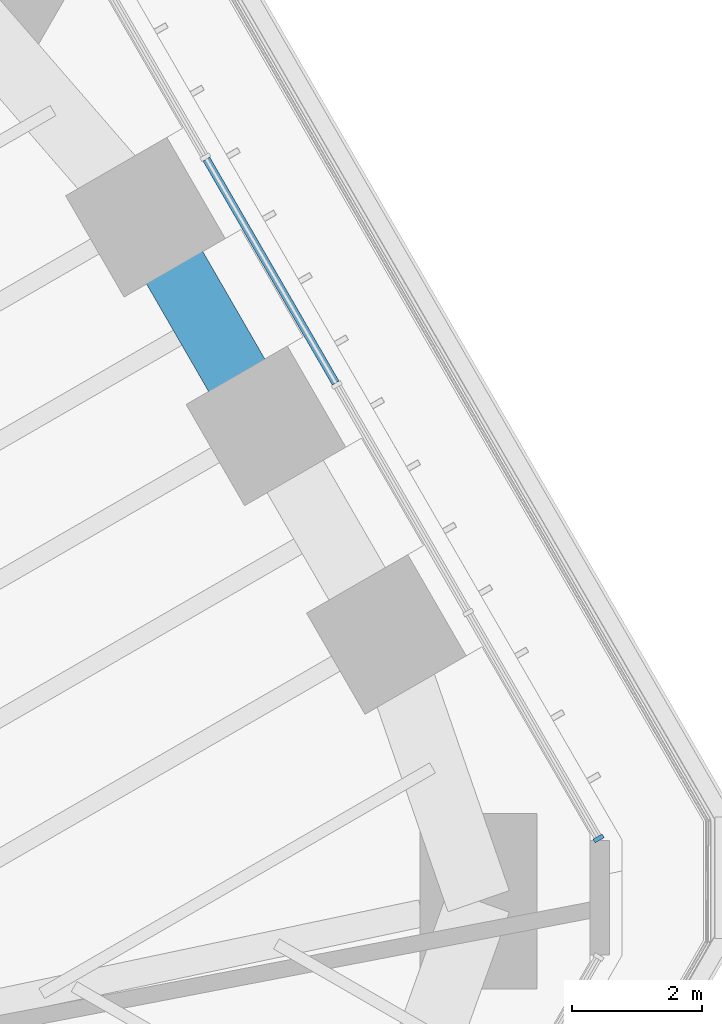
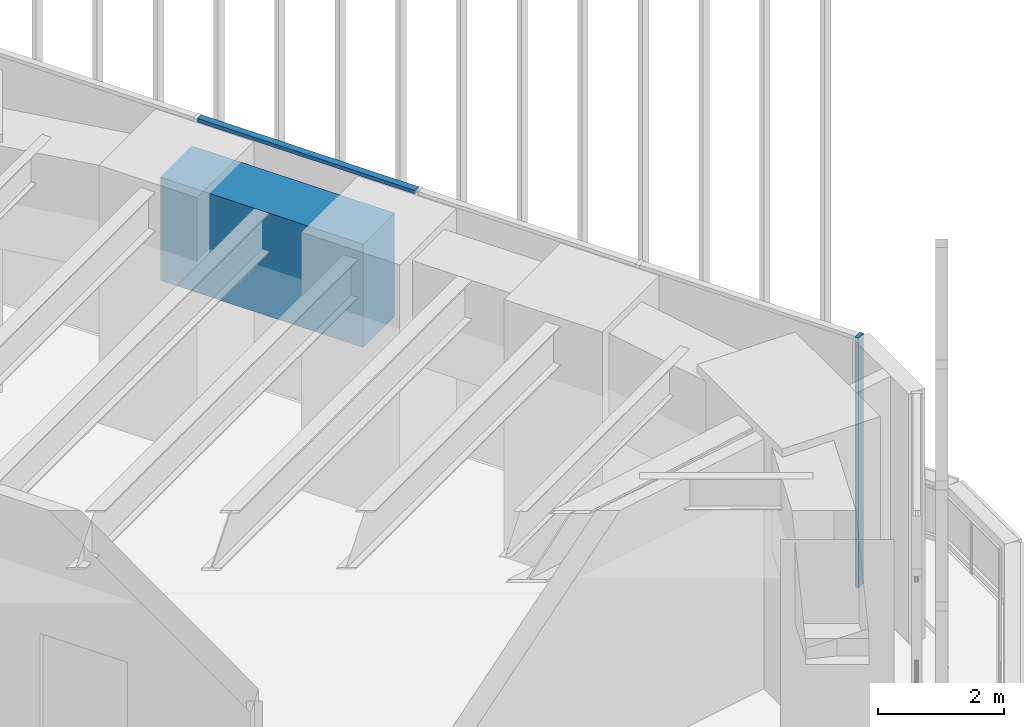
# One storey, part 187 of 228: 2 members, 1 beam, 1 element without a shape of its own.
"""IFC4 building model written with IfcOpenShell, lengths in metres."""

from ifc_helpers import new_model, si_unit, direction, frame, origin, origin_2d, place, context, subcontext, project, spatial, rectangle, extrude, material, material_profile, profile_set, type_object, element, aggregate, save


model = new_model("IFC4")

# Units and contexts
model_context = context("Model", 3, precision=1e-05, world=origin(), true_north=direction((0.0, 1.0)))
body_context = subcontext(model_context, "Body", "Model", "MODEL_VIEW")
ifc_project = project(units=[si_unit("LENGTHUNIT", "METRE"), si_unit("AREAUNIT", "SQUARE_METRE"), si_unit("VOLUMEUNIT", "CUBIC_METRE"), si_unit("PLANEANGLEUNIT", "RADIAN"), si_unit("MASSUNIT", "GRAM", prefix="KILO")], contexts=[model_context])

# Site, building, storey
site_placement = place(None, origin())
site = spatial("IfcSite", under=ifc_project, at=site_placement, CompositionType="ELEMENT")
building_placement = place(site_placement, origin())
building = spatial("IfcBuilding", under=site, at=building_placement, Name="Sandreach Pilgrim Tower", CompositionType="ELEMENT")
storey_placement = place(building_placement, frame((0.0, 0.0, 178.199951171875)))
storey = spatial("IfcBuildingStorey", under=building, at=storey_placement, Name="L44", CompositionType="ELEMENT", Elevation=178.199951171875)

# Curtain wall, members
ifc_material_1 = material(Name="Aluminium framed curtain wall", Category="aluminium")
curtain_wall_type = type_object("IfcCurtainWallType", Name="Upper hotel tower curtain wall", PredefinedType="NOTDEFINED", material=ifc_material_1)
curtain_wall_placement = place(storey_placement, origin())
curtain_wall = element("IfcCurtainWall", 1, at=curtain_wall_placement, inside=storey, type_object=curtain_wall_type, Name="CW-3 L44 NE", PredefinedType="NOTDEFINED")
ifc_material_2 = material(Name="Aluminium extrusion", Category="aluminium")
ifc_material_profile_1 = material_profile(ifc_material_2, rectangle(XDim=0.06494140625, YDim=0.159912109375, at=origin_2d()), Name="CW-3M 65X160")
ifc_profile_set_1 = profile_set([ifc_material_profile_1], Name="Aluminium extrusion")
member_type_1 = type_object("IfcMemberType", Name="CW-3 mullion", PredefinedType="MULLION", material=ifc_profile_set_1)
member_1_placement = place(storey_placement, frame((27.00390625, 6.278076171875, 0.0), z_axis=(0.0, 0.0, 1.0), x_axis=(0.5, -0.866025403784, 0.0)))
member_1 = element("IfcMember", 2, at=member_1_placement, type_object=member_type_1, Name="CW-3 mullion 5", PredefinedType="MULLION", context=body_context, shape_type="SweptSolid", body=[
    extrude(rectangle(XDim=0.06494140625, YDim=0.159912109375, at=origin_2d()), origin(), (0.0, 0.0, 1.0), 4.840087890625),
])
ifc_material_3 = material(Name="Aluminium extrusion", Category="aluminium")
ifc_material_profile_2 = material_profile(ifc_material_3, rectangle(XDim=0.1201171875, YDim=0.070068359375, at=origin_2d()), Name="CW-3T 120X70")
ifc_profile_set_2 = profile_set([ifc_material_profile_2], Name="Aluminium extrusion")
member_type_2 = type_object("IfcMemberType", Name="CW-3 transom", PredefinedType="USERDEFINED", material=ifc_profile_set_2)
member_2_placement = place(storey_placement, frame((20.96337890625, 16.74072265625, 4.804931640625), z_axis=(0.499975332564, -0.866039645067, 0.0), x_axis=(0.866039645067, 0.499975332564, 0.0)))
member_2 = element("IfcMember", 3, at=member_2_placement, type_object=member_type_2, Name="CW-3 head transom 2", ObjectType="TRANSOM", PredefinedType="USERDEFINED", context=body_context, shape_type="SweptSolid", body=[
    extrude(rectangle(XDim=0.1201171875, YDim=0.070068359375, at=origin_2d()), origin(), (0.0, 0.0, 1.0), 3.983642578125),
])
aggregate(curtain_wall, [member_1, member_2])

# Beam
ifc_material_4 = material(Name="Concrete 10000 psi", Category="concrete")
ifc_material_profile_3 = material_profile(ifc_material_4, rectangle(XDim=1.0, YDim=2.0, at=origin_2d()), Name="RC1000X2000")
ifc_profile_set_3 = profile_set([ifc_material_profile_3], Name="Concrete 10000 psi")
beam_type = type_object("IfcBeamType", Name="Spandrel beam RC1000X2000", PredefinedType="SPANDREL", material=ifc_profile_set_3)
beam_placement = place(storey_placement, frame((20.025146484375, 15.845947265625, 3.840087890625), z_axis=(0.499995842751, -0.86602780396, 0.0), x_axis=(0.86602780396, 0.499995842751, 0.0)))
element("IfcBeam", 4, at=beam_placement, inside=storey, type_object=beam_type, Name="BM L44 SP10", PredefinedType="SPANDREL", context=body_context, shape_type="SweptSolid", body=[
    extrude(rectangle(XDim=1.0, YDim=2.0, at=origin_2d()), origin(), (0.0, 0.0, 1.0), 3.71044921875),
])

save(model, "model.ifc")
